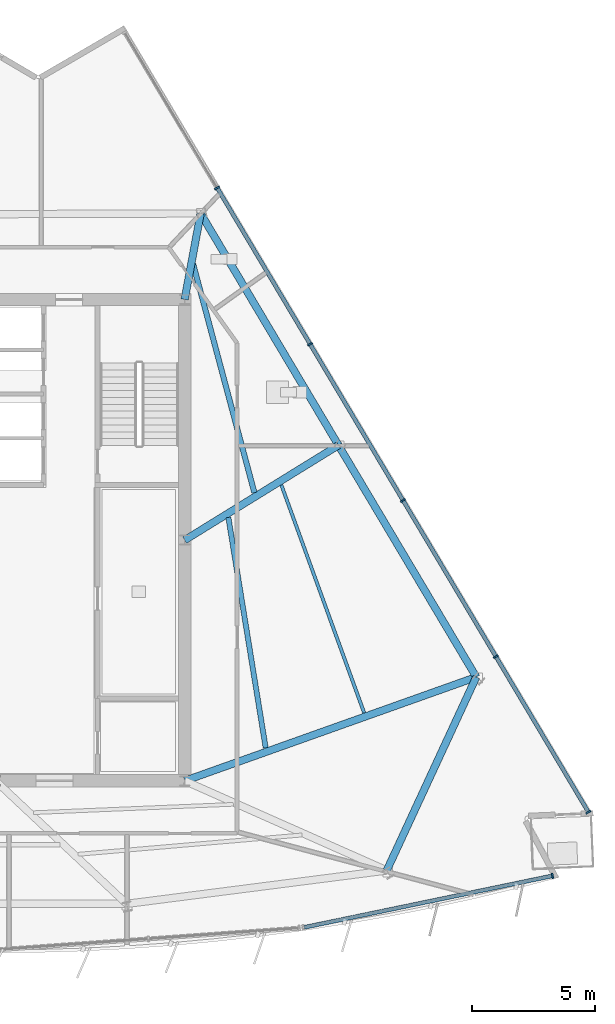
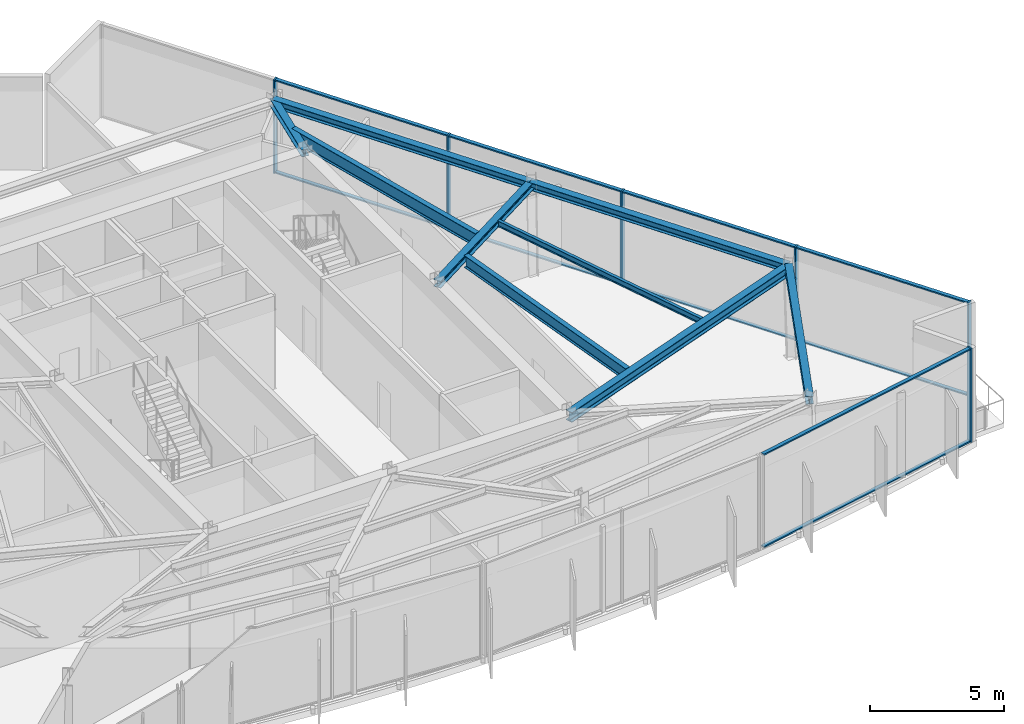
# One storey, part 4 of 12: 16 members, 9 beams, 2 elements without a shape of their own.
"""IFC4 building model written with IfcOpenShell, lengths in metres."""

from ifc_helpers import new_model, si_unit, direction, frame, origin, origin_2d, place, context, subcontext, project, spatial, rectangle, i_section, extrude, material, material_profile, profile_set, type_object, element, aggregate, save


model = new_model("IFC4")

# Units and contexts
model_context = context("Model", 3, precision=1e-05, world=origin(), true_north=direction((0.0, 1.0)))
body_context = subcontext(model_context, "Body", "Model", "MODEL_VIEW")
ifc_project = project(units=[si_unit("LENGTHUNIT", "METRE"), si_unit("AREAUNIT", "SQUARE_METRE"), si_unit("VOLUMEUNIT", "CUBIC_METRE"), si_unit("PLANEANGLEUNIT", "RADIAN"), si_unit("MASSUNIT", "GRAM", prefix="KILO")], contexts=[model_context])

# Site, building, storey
site_placement = place(None, origin())
site = spatial("IfcSite", under=ifc_project, at=site_placement, CompositionType="ELEMENT")
building_placement = place(site_placement, origin())
building = spatial("IfcBuilding", under=site, at=building_placement, Name="Savorim Split Tower", CompositionType="ELEMENT")
storey_placement = place(building_placement, frame((0.0, 0.0, 246.300048828125)))
storey = spatial("IfcBuildingStorey", under=building, at=storey_placement, Name="L65", CompositionType="ELEMENT", Elevation=246.300048828125)

# Beams
ifc_material_1 = material(Name="Steel S355", Category="steel")
ifc_material_profile_1 = material_profile(ifc_material_1, i_section(OverallWidth=0.135009765625, OverallDepth=0.27001953125, WebThickness=0.006591796875, FlangeThickness=0.01025390625, FilletRadius=0.014892578125, at=origin_2d()), Name="IPE 270")
ifc_profile_set_1 = profile_set([ifc_material_profile_1], Name="Steel S355")
beam_type_1 = type_object("IfcBeamType", Name="BM-JST-IPE270", PredefinedType="JOIST", material=ifc_profile_set_1)
beam_1_placement = place(storey_placement, frame((15.006591796875, -6.629150390625, 4.114990234375), z_axis=(-0.341536451379, 0.939868529306, 0.0), x_axis=(-0.939868529306, -0.341536451379, 0.0)))
element("IfcBeam", 1, at=beam_1_placement, inside=storey, type_object=beam_type_1, Name="L65 Secondary Floor Joist JS-06", PredefinedType="JOIST", context=body_context, shape_type="SweptSolid", body=[
    extrude(i_section(OverallWidth=0.135009765625, OverallDepth=0.27001953125, WebThickness=0.006591796875, FlangeThickness=0.01025390625, FilletRadius=0.014892578125, at=origin_2d()), origin(), (0.0, 0.0, 1.0), 9.867431640625),
])
ifc_material_profile_2 = material_profile(ifc_material_1, i_section(OverallWidth=0.2099609375, OverallDepth=0.550048828125, WebThickness=0.010986328125, FlangeThickness=0.01708984375, FilletRadius=0.02392578125, at=origin_2d()), Name="IPE 550")
ifc_profile_set_2 = profile_set([ifc_material_profile_2], Name="Steel S355")
beam_type_2 = type_object("IfcBeamType", Name="BM-JST-IPE550", PredefinedType="JOIST", material=ifc_profile_set_2)
beam_2_placement = place(storey_placement, frame((10.998779296875, -8.05859375, 3.974853515625), z_axis=(-0.159919638015, 0.987130036711, 0.0), x_axis=(-0.987130036711, -0.159919638015, 0.0)))
element("IfcBeam", 2, at=beam_2_placement, inside=storey, type_object=beam_type_2, Name="L65 Secondary Floor Joist JS-08", PredefinedType="JOIST", context=body_context, shape_type="SweptSolid", body=[
    extrude(i_section(OverallWidth=0.2099609375, OverallDepth=0.550048828125, WebThickness=0.010986328125, FlangeThickness=0.01708984375, FilletRadius=0.02392578125, at=origin_2d()), origin(), (0.0, 0.0, 1.0), 9.5048828125),
])
ifc_material_profile_3 = material_profile(ifc_material_1, i_section(OverallWidth=0.219970703125, OverallDepth=0.60009765625, WebThickness=0.011962890625, FlangeThickness=0.01904296875, FilletRadius=0.02392578125, at=origin_2d()), Name="IPE 600")
ifc_profile_set_3 = profile_set([ifc_material_profile_3], Name="Steel S355")
beam_type_3 = type_object("IfcBeamType", Name="BM-JST-IPE600", PredefinedType="JOIST", material=ifc_profile_set_3)
beam_3_placement = place(storey_placement, frame((10.538818359375, 2.331787109375, 3.949951171875), z_axis=(-0.258830476498, 0.965922763183, 0.0), x_axis=(-0.965922763183, -0.258830476498, 0.0)))
element("IfcBeam", 3, at=beam_3_placement, inside=storey, type_object=beam_type_3, Name="L65 Secondary Floor Joist JS-07", PredefinedType="JOIST", context=body_context, shape_type="SweptSolid", body=[
    extrude(i_section(OverallWidth=0.219970703125, OverallDepth=0.60009765625, WebThickness=0.011962890625, FlangeThickness=0.01904296875, FilletRadius=0.02392578125, at=origin_2d()), origin(), (0.0, 0.0, 1.0), 9.653076171875),
])
ifc_material_profile_4 = material_profile(ifc_material_1, i_section(OverallWidth=0.300048828125, OverallDepth=0.320068359375, WebThickness=0.011474609375, FlangeThickness=0.0205078125, FilletRadius=0.027099609375, at=origin_2d()), Name="HEB 320")
ifc_profile_set_4 = profile_set([ifc_material_profile_4], Name="Steel S355")
beam_type_4 = type_object("IfcBeamType", Name="BM-PRI-HEB320", PredefinedType="BEAM", material=ifc_profile_set_4)
beam_4_placement = place(storey_placement, frame((13.961181640625, 4.263671875, 4.08984375), z_axis=(-0.851008246784, -0.525152324479, 0.0), x_axis=(0.525152324479, -0.851008246784, 0.0)))
element("IfcBeam", 4, at=beam_4_placement, inside=storey, type_object=beam_type_4, Name="L65 Primary Floor Girder RG-06", PredefinedType="BEAM", context=body_context, shape_type="SweptSolid", body=[
    extrude(i_section(OverallWidth=0.300048828125, OverallDepth=0.320068359375, WebThickness=0.011474609375, FlangeThickness=0.0205078125, FilletRadius=0.027099609375, at=origin_2d()), origin(), (0.0, 0.0, 1.0), 7.357421875),
])
beam_5_placement = place(storey_placement, frame((8.349609375, 13.700927734375, 4.08984375), z_axis=(-0.182450166415, -0.983215101987, 0.0), x_axis=(0.983215101987, -0.182450166415, 0.0)))
element("IfcBeam", 5, at=beam_5_placement, inside=storey, type_object=beam_type_4, Name="L65 Primary Floor Girder RG-07", PredefinedType="BEAM", context=body_context, shape_type="SweptSolid", body=[
    extrude(i_section(OverallWidth=0.300048828125, OverallDepth=0.320068359375, WebThickness=0.011474609375, FlangeThickness=0.0205078125, FilletRadius=0.027099609375, at=origin_2d()), origin(), (0.0, 0.0, 1.0), 3.560791015625),
])
ifc_material_profile_5 = material_profile(ifc_material_1, i_section(OverallWidth=0.300048828125, OverallDepth=0.449951171875, WebThickness=0.013916015625, FlangeThickness=0.02587890625, FilletRadius=0.027099609375, at=origin_2d()), Name="HEB 450")
ifc_profile_set_5 = profile_set([ifc_material_profile_5], Name="Steel S355")
beam_type_5 = type_object("IfcBeamType", Name="BM-PRI-HEB450", PredefinedType="BEAM", material=ifc_profile_set_5)
beam_6_placement = place(storey_placement, frame((19.57275390625, -5.173583984375, 4.02490234375), z_axis=(-0.942092466034, -0.335353224888, 0.0), x_axis=(0.335353224888, -0.942092466034, 0.0)))
element("IfcBeam", 6, at=beam_6_placement, inside=storey, type_object=beam_type_5, Name="L65 Primary Floor Girder RG-05", PredefinedType="BEAM", context=body_context, shape_type="SweptSolid", body=[
    extrude(i_section(OverallWidth=0.300048828125, OverallDepth=0.449951171875, WebThickness=0.013916015625, FlangeThickness=0.02587890625, FilletRadius=0.027099609375, at=origin_2d()), origin(), (0.0, 0.0, 1.0), 12.6025390625),
])
ifc_material_profile_6 = material_profile(ifc_material_1, i_section(OverallWidth=0.300048828125, OverallDepth=0.35009765625, WebThickness=0.010009765625, FlangeThickness=0.017578125, FilletRadius=0.027099609375, at=origin_2d()), Name="HEA 360")
ifc_profile_set_6 = profile_set([ifc_material_profile_6], Name="Steel S355")
beam_type_6 = type_object("IfcBeamType", Name="BM-SPN-HEA360", PredefinedType="SPANDREL", material=ifc_profile_set_6)
beam_7_placement = place(storey_placement, frame((15.927490234375, -13.048828125, 4.074951171875), z_axis=(0.42005878331, 0.907496897275, 0.0), x_axis=(-0.907496897275, 0.42005878331, 0.0)))
element("IfcBeam", 7, at=beam_7_placement, inside=storey, type_object=beam_type_6, Name="L65 Perimeter Spandrel Beam 4", PredefinedType="SPANDREL", context=body_context, shape_type="SweptSolid", body=[
    extrude(i_section(OverallWidth=0.300048828125, OverallDepth=0.35009765625, WebThickness=0.010009765625, FlangeThickness=0.017578125, FilletRadius=0.027099609375, at=origin_2d()), origin(), (0.0, 0.0, 1.0), 8.677978515625),
])
for number, where, z_axis, x_axis, name in (
    (8, (19.57275390625, -5.173583984375, 4.074951171875), (-0.511090932686, 0.859526647944, 0.0), (-0.859526647944, -0.511090932686, 0.0), "L65 Perimeter Spandrel Beam 5"),
    (9, (13.961181640625, 4.263671875, 4.074951171875), (-0.511090932686, 0.859526647944, 0.0), (-0.859526647944, -0.511090932686, 0.0), "L65 Perimeter Spandrel Beam 6"),
):
    element("IfcBeam", number, at=place(storey_placement, frame(where, z_axis=z_axis, x_axis=x_axis)), inside=storey, type_object=beam_type_6, Name=name, PredefinedType="SPANDREL", context=body_context, shape_type="SweptSolid", body=[
        extrude(i_section(OverallWidth=0.300048828125, OverallDepth=0.35009765625, WebThickness=0.010009765625, FlangeThickness=0.017578125, FilletRadius=0.027099609375, at=origin_2d()), origin(), (0.0, 0.0, 1.0), 10.9794921875),
    ])

# Curtain wall, member
ifc_material_2 = material(Name="Dark Ceramic-Fritted Insulated Glass", Category="glass")
curtain_wall_type = type_object("IfcCurtainWallType", Name="CW-SKY-ATRIUM", PredefinedType="NOTDEFINED", material=ifc_material_2)
curtain_wall_1_placement = place(storey_placement, origin())
curtain_wall_1 = element("IfcCurtainWall", 10, at=curtain_wall_1_placement, inside=storey, type_object=curtain_wall_type, Name="L65 Curtain Wall CW-L65-SF4", PredefinedType="NOTDEFINED")
ifc_material_3 = material(Name="Charcoal Anodised Aluminium", Category="aluminium")
ifc_material_profile_7 = material_profile(ifc_material_3, rectangle(XDim=0.219970703125, YDim=0.070068359375, at=origin_2d()), Name="ALU-M 220x70")
ifc_profile_set_7 = profile_set([ifc_material_profile_7], Name="Charcoal Anodised Aluminium")
member_type_1 = type_object("IfcMemberType", Name="CWM-220x70", PredefinedType="MULLION", material=ifc_profile_set_7)
member_1_placement = place(storey_placement, frame((22.673095703125, -13.26708984375, 0.0), z_axis=(0.0, 0.0, 1.0), x_axis=(-0.20320761208, 0.979135673129, 0.0)))
member_1 = element("IfcMember", 11, at=member_1_placement, type_object=member_type_1, Name="CW-05 mullion 2", PredefinedType="MULLION", context=body_context, shape_type="SweptSolid", body=[
    extrude(rectangle(XDim=0.219970703125, YDim=0.070068359375, at=origin_2d()), origin(), (0.0, 0.0, 1.0), 4.25),
])

# Curtain wall, members
curtain_wall_2_placement = place(storey_placement, origin())
curtain_wall_2 = element("IfcCurtainWall", 12, at=curtain_wall_2_placement, inside=storey, type_object=curtain_wall_type, Name="L65 Curtain Wall CW-L65-EAST", PredefinedType="NOTDEFINED")
member_2_placement = place(storey_placement, frame((24.1357421875, -10.6748046875, 0.0), z_axis=(0.0, 0.0, 1.0), x_axis=(-0.859526936773, -0.511090446947, 0.0)))
member_2 = element("IfcMember", 13, at=member_2_placement, type_object=member_type_1, Name="CW-05 mullion 1", PredefinedType="MULLION", context=body_context, shape_type="SweptSolid", body=[
    extrude(rectangle(XDim=0.219970703125, YDim=0.070068359375, at=origin_2d()), origin(), (0.0, 0.0, 1.0), 4.25),
])
member_3_placement = place(storey_placement, frame((20.37109375, -4.34326171875, 0.0), z_axis=(0.0, 0.0, 1.0), x_axis=(-0.859526936773, -0.511090446947, 0.0)))
member_3 = element("IfcMember", 14, at=member_3_placement, type_object=member_type_1, Name="CW-05 mullion 2", PredefinedType="MULLION", context=body_context, shape_type="SweptSolid", body=[
    extrude(rectangle(XDim=0.219970703125, YDim=0.070068359375, at=origin_2d()), origin(), (0.0, 0.0, 1.0), 4.25),
])
member_4_placement = place(storey_placement, frame((16.58837890625, 2.018310546875, 0.0), z_axis=(0.0, 0.0, 1.0), x_axis=(-0.859526936773, -0.511090446947, 0.0)))
member_4 = element("IfcMember", 15, at=member_4_placement, type_object=member_type_1, Name="CW-05 mullion 3", PredefinedType="MULLION", context=body_context, shape_type="SweptSolid", body=[
    extrude(rectangle(XDim=0.219970703125, YDim=0.070068359375, at=origin_2d()), origin(), (0.0, 0.0, 1.0), 4.25),
])
member_5_placement = place(storey_placement, frame((12.8056640625, 8.3798828125, 0.0), z_axis=(0.0, 0.0, 1.0), x_axis=(-0.859526936773, -0.511090446947, 0.0)))
member_5 = element("IfcMember", 16, at=member_5_placement, type_object=member_type_1, Name="CW-05 mullion 4", PredefinedType="MULLION", context=body_context, shape_type="SweptSolid", body=[
    extrude(rectangle(XDim=0.219970703125, YDim=0.070068359375, at=origin_2d()), origin(), (0.0, 0.0, 1.0), 4.25),
])
member_6_placement = place(storey_placement, frame((9.02294921875, 14.741455078125, 0.0), z_axis=(0.0, 0.0, 1.0), x_axis=(-0.859526936773, -0.511090446947, 0.0)))
member_6 = element("IfcMember", 17, at=member_6_placement, type_object=member_type_1, Name="CW-05 mullion 5", PredefinedType="MULLION", context=body_context, shape_type="SweptSolid", body=[
    extrude(rectangle(XDim=0.219970703125, YDim=0.070068359375, at=origin_2d()), origin(), (0.0, 0.0, 1.0), 4.25),
])

# Member
ifc_material_profile_8 = material_profile(ifc_material_3, rectangle(XDim=0.159912109375, YDim=0.06005859375, at=origin_2d()), Name="ALU-T 160x60")
ifc_profile_set_8 = profile_set([ifc_material_profile_8], Name="Charcoal Anodised Aluminium")
member_type_2 = type_object("IfcMemberType", Name="CWT-160x60", PredefinedType="USERDEFINED", material=ifc_profile_set_8)
member_7_placement = place(storey_placement, frame((12.563232421875, -15.365234375, 0.030029296875), z_axis=(0.979136064169, 0.20320572788, 0.0), x_axis=(-0.20320572788, 0.979136064169, 0.0)))
member_7 = element("IfcMember", 18, at=member_7_placement, type_object=member_type_2, Name="CW-05 transom 1.1", ObjectType="TRANSOM", PredefinedType="USERDEFINED", context=body_context, shape_type="SweptSolid", body=[
    extrude(rectangle(XDim=0.159912109375, YDim=0.06005859375, at=origin_2d()), origin(), (0.0, 0.0, 1.0), 10.290283203125),
])

member_8_placement = place(storey_placement, frame((12.563232421875, -15.365234375, 4.219970703125), z_axis=(0.979136064169, 0.20320572788, 0.0), x_axis=(-0.20320572788, 0.979136064169, 0.0)))
member_8 = element("IfcMember", 19, at=member_8_placement, type_object=member_type_2, Name="CW-05 transom 1.2", ObjectType="TRANSOM", PredefinedType="USERDEFINED", context=body_context, shape_type="SweptSolid", body=[
    extrude(rectangle(XDim=0.159912109375, YDim=0.06005859375, at=origin_2d()), origin(), (0.0, 0.0, 1.0), 10.290283203125),
])

aggregate(curtain_wall_1, [member_1, member_7, member_8])

member_9_placement = place(storey_placement, frame((24.117919921875, -10.64453125, 0.030029296875), z_axis=(-0.51109142832, 0.859526353231, 0.0), x_axis=(-0.859526353231, -0.51109142832, 0.0)))
member_9 = element("IfcMember", 20, at=member_9_placement, type_object=member_type_2, Name="CW-05 transom 1.1", ObjectType="TRANSOM", PredefinedType="USERDEFINED", context=body_context, shape_type="SweptSolid", body=[
    extrude(rectangle(XDim=0.159912109375, YDim=0.06005859375, at=origin_2d()), origin(), (0.0, 0.0, 1.0), 7.296142578125),
])

member_10_placement = place(storey_placement, frame((24.117919921875, -10.64453125, 4.219970703125), z_axis=(-0.51109142832, 0.859526353231, 0.0), x_axis=(-0.859526353231, -0.51109142832, 0.0)))
member_10 = element("IfcMember", 21, at=member_10_placement, type_object=member_type_2, Name="CW-05 transom 1.2", ObjectType="TRANSOM", PredefinedType="USERDEFINED", context=body_context, shape_type="SweptSolid", body=[
    extrude(rectangle(XDim=0.159912109375, YDim=0.06005859375, at=origin_2d()), origin(), (0.0, 0.0, 1.0), 7.296142578125),
])

member_11_placement = place(storey_placement, frame((20.35302734375, -4.313232421875, 0.030029296875), z_axis=(-0.511073398039, 0.859537074137, 0.0), x_axis=(-0.859537074137, -0.511073398039, 0.0)))
member_11 = element("IfcMember", 22, at=member_11_placement, type_object=member_type_2, Name="CW-05 transom 2.1", ObjectType="TRANSOM", PredefinedType="USERDEFINED", context=body_context, shape_type="SweptSolid", body=[
    extrude(rectangle(XDim=0.159912109375, YDim=0.06005859375, at=origin_2d()), origin(), (0.0, 0.0, 1.0), 7.331298828125),
])

member_12_placement = place(storey_placement, frame((20.35302734375, -4.313232421875, 4.219970703125), z_axis=(-0.511073398039, 0.859537074137, 0.0), x_axis=(-0.859537074137, -0.511073398039, 0.0)))
member_12 = element("IfcMember", 23, at=member_12_placement, type_object=member_type_2, Name="CW-05 transom 2.2", ObjectType="TRANSOM", PredefinedType="USERDEFINED", context=body_context, shape_type="SweptSolid", body=[
    extrude(rectangle(XDim=0.159912109375, YDim=0.06005859375, at=origin_2d()), origin(), (0.0, 0.0, 1.0), 7.331298828125),
])

member_13_placement = place(storey_placement, frame((16.5703125, 2.04833984375, 0.030029296875), z_axis=(-0.511073398039, 0.859537074137, 0.0), x_axis=(-0.859537074137, -0.511073398039, 0.0)))
member_13 = element("IfcMember", 24, at=member_13_placement, type_object=member_type_2, Name="CW-05 transom 3.1", ObjectType="TRANSOM", PredefinedType="USERDEFINED", context=body_context, shape_type="SweptSolid", body=[
    extrude(rectangle(XDim=0.159912109375, YDim=0.06005859375, at=origin_2d()), origin(), (0.0, 0.0, 1.0), 7.331298828125),
])

member_14_placement = place(storey_placement, frame((16.5703125, 2.04833984375, 4.219970703125), z_axis=(-0.511073398039, 0.859537074137, 0.0), x_axis=(-0.859537074137, -0.511073398039, 0.0)))
member_14 = element("IfcMember", 25, at=member_14_placement, type_object=member_type_2, Name="CW-05 transom 3.2", ObjectType="TRANSOM", PredefinedType="USERDEFINED", context=body_context, shape_type="SweptSolid", body=[
    extrude(rectangle(XDim=0.159912109375, YDim=0.06005859375, at=origin_2d()), origin(), (0.0, 0.0, 1.0), 7.331298828125),
])

member_15_placement = place(storey_placement, frame((12.78759765625, 8.409912109375, 0.030029296875), z_axis=(-0.511073398039, 0.859537074137, 0.0), x_axis=(-0.859537074137, -0.511073398039, 0.0)))
member_15 = element("IfcMember", 26, at=member_15_placement, type_object=member_type_2, Name="CW-05 transom 4.1", ObjectType="TRANSOM", PredefinedType="USERDEFINED", context=body_context, shape_type="SweptSolid", body=[
    extrude(rectangle(XDim=0.159912109375, YDim=0.06005859375, at=origin_2d()), origin(), (0.0, 0.0, 1.0), 7.331298828125),
])

member_16_placement = place(storey_placement, frame((12.78759765625, 8.409912109375, 4.219970703125), z_axis=(-0.511073398039, 0.859537074137, 0.0), x_axis=(-0.859537074137, -0.511073398039, 0.0)))
member_16 = element("IfcMember", 27, at=member_16_placement, type_object=member_type_2, Name="CW-05 transom 4.2", ObjectType="TRANSOM", PredefinedType="USERDEFINED", context=body_context, shape_type="SweptSolid", body=[
    extrude(rectangle(XDim=0.159912109375, YDim=0.06005859375, at=origin_2d()), origin(), (0.0, 0.0, 1.0), 7.331298828125),
])

aggregate(curtain_wall_2, [member_2, member_3, member_4, member_5, member_6, member_9, member_10, member_11, member_12, member_13, member_14, member_15, member_16])

save(model, "model.ifc")
